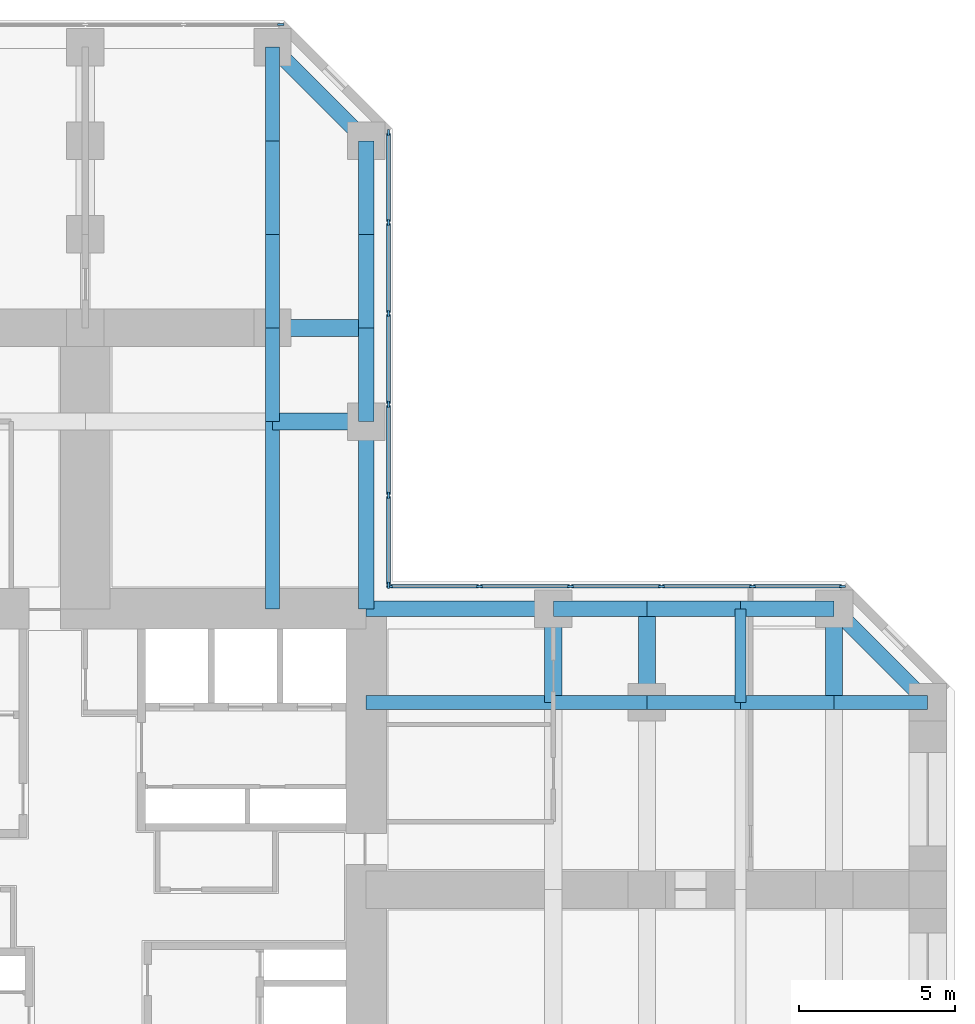
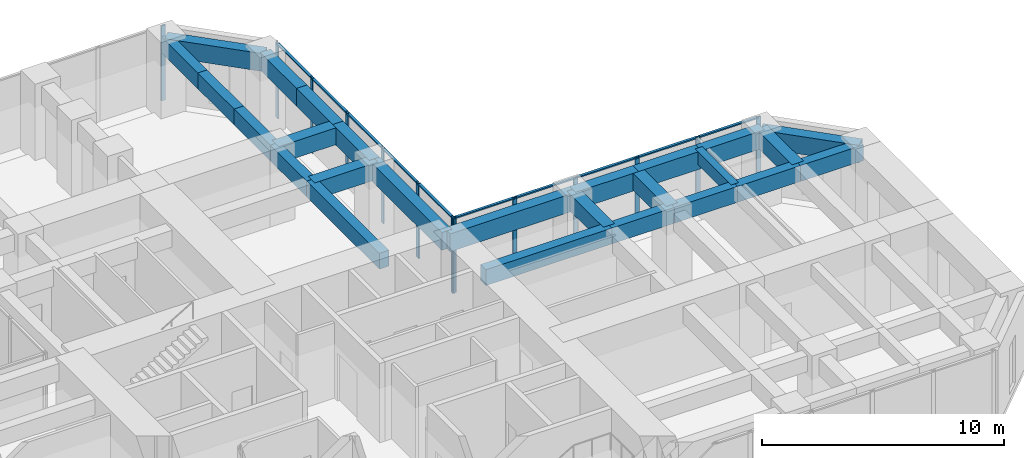
# One storey, part 6 of 12: 26 beams, 23 members, 3 elements without a shape of their own.
"""IFC4 building model written with IfcOpenShell, lengths in metres."""

from ifc_helpers import new_model, si_unit, direction, frame, origin, origin_2d, place, context, subcontext, project, spatial, rectangle, extrude, material, material_profile, profile_set, type_object, element, aggregate, save


model = new_model("IFC4")

# Units and contexts
model_context = context("Model", 3, precision=1e-05, world=origin(), true_north=direction((0.0, 1.0)))
body_context = subcontext(model_context, "Body", "Model", "MODEL_VIEW")
ifc_project = project(units=[si_unit("LENGTHUNIT", "METRE"), si_unit("AREAUNIT", "SQUARE_METRE"), si_unit("VOLUMEUNIT", "CUBIC_METRE"), si_unit("PLANEANGLEUNIT", "RADIAN"), si_unit("MASSUNIT", "GRAM", prefix="KILO")], contexts=[model_context])

# Site, building, storey
site_placement = place(None, origin())
site = spatial("IfcSite", under=ifc_project, at=site_placement, CompositionType="ELEMENT")
building_placement = place(site_placement, origin())
building = spatial("IfcBuilding", under=site, at=building_placement, Name="Torre Cruceta", CompositionType="ELEMENT")
storey_placement = place(building_placement, frame((0.0, 0.0, 63.5)))
storey = spatial("IfcBuildingStorey", under=building, at=storey_placement, Name="L15", CompositionType="ELEMENT", Elevation=63.5)

# Beams
ifc_material_1 = material(Name="Concrete G60 (fck 60 MPa)", Category="concrete")
ifc_material_profile_1 = material_profile(ifc_material_1, rectangle(XDim=0.449951171875, YDim=0.800048828125, at=origin_2d()), Name="RC 450X800")
ifc_profile_set_1 = profile_set([ifc_material_profile_1], Name="Concrete G60 (fck 60 MPa)")
beam_type_1 = type_object("IfcBeamType", Name="COLUMN LINE BEAM RC 450X800", PredefinedType="BEAM", material=ifc_profile_set_1)
beam_1_placement = place(storey_placement, frame((6.0, 9.0, 3.39990234375), z_axis=(0.0, 1.0, 0.0), x_axis=(-1.0, 0.0, 0.0)))
element("IfcBeam", 1, at=beam_1_placement, inside=storey, type_object=beam_type_1, Name="LB1 L15 N col- 1", PredefinedType="BEAM", context=body_context, shape_type="SweptSolid", body=[
    extrude(rectangle(XDim=0.449951171875, YDim=0.800048828125, at=origin_2d()), origin(), (0.0, 0.0, 1.0), 6.0),
])
for number, where, z_axis, x_axis, name in (
    (2, (6.0, 15.0, 3.39990234375), (0.0, 1.0, 0.0), (-1.0, 0.0, 0.0), "LB1 L15 N col- 2"),
    (3, (6.0, 18.0, 3.39990234375), (0.0, 1.0, 0.0), (-1.0, 0.0, 0.0), "LB1 L15 N col- 3"),
    (4, (6.0, 21.0, 3.39990234375), (0.0, 1.0, 0.0), (-1.0, 0.0, 0.0), "LB1 L15 N col- 4"),
    (5, (6.0, 24.0, 3.39990234375), (0.0, 1.0, 0.0), (-1.0, 0.0, 0.0), "LB1 L15 N col- 5"),
):
    element("IfcBeam", number, at=place(storey_placement, frame(where, z_axis=z_axis, x_axis=x_axis)), inside=storey, type_object=beam_type_1, Name=name, PredefinedType="BEAM", context=body_context, shape_type="SweptSolid", body=[
        extrude(rectangle(XDim=0.449951171875, YDim=0.800048828125, at=origin_2d()), origin(), (0.0, 0.0, 1.0), 3.0),
    ])
beam_2_placement = place(storey_placement, frame((9.0, 6.0, 3.39990234375), z_axis=(1.0, 0.0, 0.0), x_axis=(0.0, 1.0, 0.0)))
element("IfcBeam", 6, at=beam_2_placement, inside=storey, type_object=beam_type_1, Name="LB1 L15 E col+ 1", PredefinedType="BEAM", context=body_context, shape_type="SweptSolid", body=[
    extrude(rectangle(XDim=0.449951171875, YDim=0.800048828125, at=origin_2d()), origin(), (0.0, 0.0, 1.0), 6.0),
])
for number, where, z_axis, x_axis, name in (
    (7, (15.0, 6.0, 3.39990234375), (1.0, 0.0, 0.0), (0.0, 1.0, 0.0), "LB1 L15 E col+ 2"),
    (8, (18.0, 6.0, 3.39990234375), (1.0, 0.0, 0.0), (0.0, 1.0, 0.0), "LB1 L15 E col+ 3"),
    (9, (21.0, 6.0, 3.39990234375), (1.0, 0.0, 0.0), (0.0, 1.0, 0.0), "LB1 L15 E col+ 4"),
    (10, (24.0, 6.0, 3.39990234375), (1.0, 0.0, 0.0), (0.0, 1.0, 0.0), "LB1 L15 E col+ 5"),
):
    element("IfcBeam", number, at=place(storey_placement, frame(where, z_axis=z_axis, x_axis=x_axis)), inside=storey, type_object=beam_type_1, Name=name, PredefinedType="BEAM", context=body_context, shape_type="SweptSolid", body=[
        extrude(rectangle(XDim=0.449951171875, YDim=0.800048828125, at=origin_2d()), origin(), (0.0, 0.0, 1.0), 3.0),
    ])
ifc_material_2 = material(Name="Concrete G60 (fck 60 MPa)", Category="concrete")
ifc_material_profile_2 = material_profile(ifc_material_2, rectangle(XDim=0.550048828125, YDim=0.85009765625, at=origin_2d()), Name="RC 550X850")
ifc_profile_set_2 = profile_set([ifc_material_profile_2], Name="Concrete G60 (fck 60 MPa)")
beam_type_2 = type_object("IfcBeamType", Name="CROSS BEAM RC 550X850", PredefinedType="BEAM", material=ifc_profile_set_2)
for number, where, z_axis, x_axis, name in (
    (11, (9.0, 15.0, 3.375), (-1.0, 0.0, 0.0), (0.0, -1.0, 0.0), "GB4 L15 N cross15 1"),
    (12, (9.0, 18.0, 3.375), (-1.0, 0.0, 0.0), (0.0, -1.0, 0.0), "GB4 L15 N cross18 1"),
    (13, (15.0, 6.0, 3.375), (0.0, 1.0, 0.0), (-1.0, 0.0, 0.0), "GB4 L15 E cross15 4"),
    (14, (18.0, 6.0, 3.375), (0.0, 1.0, 0.0), (-1.0, 0.0, 0.0), "GB4 L15 E cross18 4"),
    (15, (24.0, 6.0, 3.375), (0.0, 1.0, 0.0), (-1.0, 0.0, 0.0), "GB4 L15 E cross24 4"),
):
    element("IfcBeam", number, at=place(storey_placement, frame(where, z_axis=z_axis, x_axis=x_axis)), inside=storey, type_object=beam_type_2, Name=name, PredefinedType="BEAM", context=body_context, shape_type="SweptSolid", body=[
        extrude(rectangle(XDim=0.550048828125, YDim=0.85009765625, at=origin_2d()), origin(), (0.0, 0.0, 1.0), 3.0),
    ])

# Curtain wall, members
ifc_material_3 = material(Name="Aluminium unitised curtain wall", Category="aluminium")
curtain_wall_type = type_object("IfcCurtainWallType", Name="CURTAIN WALL CW-A OFFICE LOW RISE", PredefinedType="USERDEFINED", material=ifc_material_3)
curtain_wall_1_placement = place(storey_placement, origin())
curtain_wall_1 = element("IfcCurtainWall", 16, at=curtain_wall_1_placement, inside=storey, type_object=curtain_wall_type, Name="CW-A L15 E side 04", ObjectType="UNITISED", PredefinedType="USERDEFINED")
ifc_material_4 = material(Name="Aluminium mullion", Category="aluminium")
ifc_material_profile_3 = material_profile(ifc_material_4, rectangle(XDim=0.06494140625, YDim=0.199951171875, at=origin_2d()), Name="AL 65X200")
ifc_profile_set_3 = profile_set([ifc_material_profile_3], Name="Aluminium mullion")
member_type_1 = type_object("IfcMemberType", Name="CW-A MULLION 65X200", PredefinedType="MULLION", material=ifc_profile_set_3)
member_1_placement = place(storey_placement, frame((24.265625, 9.719970703125, 0.0), z_axis=(0.0, 0.0, 1.0), x_axis=(0.0, -1.0, 0.0)))
member_1 = element("IfcMember", 17, at=member_1_placement, type_object=member_type_1, Name="CW-A mullion 1", PredefinedType="MULLION", context=body_context, shape_type="SweptSolid", body=[
    extrude(rectangle(XDim=0.06494140625, YDim=0.199951171875, at=origin_2d()), origin(), (0.0, 0.0, 1.0), 3.800048828125),
])
member_2_placement = place(storey_placement, frame((21.382568359375, 9.719970703125, 0.0), z_axis=(0.0, 0.0, 1.0), x_axis=(0.0, -1.0, 0.0)))
member_2 = element("IfcMember", 18, at=member_2_placement, type_object=member_type_1, Name="CW-A mullion 2", PredefinedType="MULLION", context=body_context, shape_type="SweptSolid", body=[
    extrude(rectangle(XDim=0.06494140625, YDim=0.199951171875, at=origin_2d()), origin(), (0.0, 0.0, 1.0), 3.800048828125),
])
member_3_placement = place(storey_placement, frame((18.467041015625, 9.719970703125, 0.0), z_axis=(0.0, 0.0, 1.0), x_axis=(0.0, -1.0, 0.0)))
member_3 = element("IfcMember", 19, at=member_3_placement, type_object=member_type_1, Name="CW-A mullion 3", PredefinedType="MULLION", context=body_context, shape_type="SweptSolid", body=[
    extrude(rectangle(XDim=0.06494140625, YDim=0.199951171875, at=origin_2d()), origin(), (0.0, 0.0, 1.0), 3.800048828125),
])
member_4_placement = place(storey_placement, frame((15.55126953125, 9.719970703125, 0.0), z_axis=(0.0, 0.0, 1.0), x_axis=(0.0, -1.0, 0.0)))
member_4 = element("IfcMember", 20, at=member_4_placement, type_object=member_type_1, Name="CW-A mullion 4", PredefinedType="MULLION", context=body_context, shape_type="SweptSolid", body=[
    extrude(rectangle(XDim=0.06494140625, YDim=0.199951171875, at=origin_2d()), origin(), (0.0, 0.0, 1.0), 3.800048828125),
])
member_5_placement = place(storey_placement, frame((12.6357421875, 9.719970703125, 0.0), z_axis=(0.0, 0.0, 1.0), x_axis=(0.0, -1.0, 0.0)))
member_5 = element("IfcMember", 21, at=member_5_placement, type_object=member_type_1, Name="CW-A mullion 5", PredefinedType="MULLION", context=body_context, shape_type="SweptSolid", body=[
    extrude(rectangle(XDim=0.06494140625, YDim=0.199951171875, at=origin_2d()), origin(), (0.0, 0.0, 1.0), 3.800048828125),
])
member_6_placement = place(storey_placement, frame((9.75244140625, 9.719970703125, 0.0), z_axis=(0.0, 0.0, 1.0), x_axis=(0.0, -1.0, 0.0)))
member_6 = element("IfcMember", 22, at=member_6_placement, type_object=member_type_1, Name="CW-A mullion 6", PredefinedType="MULLION", context=body_context, shape_type="SweptSolid", body=[
    extrude(rectangle(XDim=0.06494140625, YDim=0.199951171875, at=origin_2d()), origin(), (0.0, 0.0, 1.0), 3.800048828125),
])

curtain_wall_2_placement = place(storey_placement, origin())
curtain_wall_2 = element("IfcCurtainWall", 23, at=curtain_wall_2_placement, inside=storey, type_object=curtain_wall_type, Name="CW-A L15 N side 05", ObjectType="UNITISED", PredefinedType="USERDEFINED")
member_7_placement = place(storey_placement, frame((9.719970703125, 9.75244140625, 0.0), z_axis=(0.0, 0.0, 1.0), x_axis=(-1.0, 0.0, 0.0)))
member_7 = element("IfcMember", 24, at=member_7_placement, type_object=member_type_1, Name="CW-A mullion 1", PredefinedType="MULLION", context=body_context, shape_type="SweptSolid", body=[
    extrude(rectangle(XDim=0.06494140625, YDim=0.199951171875, at=origin_2d()), origin(), (0.0, 0.0, 1.0), 3.800048828125),
])
member_8_placement = place(storey_placement, frame((9.719970703125, 12.6357421875, 0.0), z_axis=(0.0, 0.0, 1.0), x_axis=(-1.0, 0.0, 0.0)))
member_8 = element("IfcMember", 25, at=member_8_placement, type_object=member_type_1, Name="CW-A mullion 2", PredefinedType="MULLION", context=body_context, shape_type="SweptSolid", body=[
    extrude(rectangle(XDim=0.06494140625, YDim=0.199951171875, at=origin_2d()), origin(), (0.0, 0.0, 1.0), 3.800048828125),
])
member_9_placement = place(storey_placement, frame((9.719970703125, 15.55126953125, 0.0), z_axis=(0.0, 0.0, 1.0), x_axis=(-1.0, 0.0, 0.0)))
member_9 = element("IfcMember", 26, at=member_9_placement, type_object=member_type_1, Name="CW-A mullion 3", PredefinedType="MULLION", context=body_context, shape_type="SweptSolid", body=[
    extrude(rectangle(XDim=0.06494140625, YDim=0.199951171875, at=origin_2d()), origin(), (0.0, 0.0, 1.0), 3.800048828125),
])
member_10_placement = place(storey_placement, frame((9.719970703125, 18.467041015625, 0.0), z_axis=(0.0, 0.0, 1.0), x_axis=(-1.0, 0.0, 0.0)))
member_10 = element("IfcMember", 27, at=member_10_placement, type_object=member_type_1, Name="CW-A mullion 4", PredefinedType="MULLION", context=body_context, shape_type="SweptSolid", body=[
    extrude(rectangle(XDim=0.06494140625, YDim=0.199951171875, at=origin_2d()), origin(), (0.0, 0.0, 1.0), 3.800048828125),
])
member_11_placement = place(storey_placement, frame((9.719970703125, 21.382568359375, 0.0), z_axis=(0.0, 0.0, 1.0), x_axis=(-1.0, 0.0, 0.0)))
member_11 = element("IfcMember", 28, at=member_11_placement, type_object=member_type_1, Name="CW-A mullion 5", PredefinedType="MULLION", context=body_context, shape_type="SweptSolid", body=[
    extrude(rectangle(XDim=0.06494140625, YDim=0.199951171875, at=origin_2d()), origin(), (0.0, 0.0, 1.0), 3.800048828125),
])
member_12_placement = place(storey_placement, frame((9.719970703125, 24.265625, 0.0), z_axis=(0.0, 0.0, 1.0), x_axis=(-1.0, 0.0, 0.0)))
member_12 = element("IfcMember", 29, at=member_12_placement, type_object=member_type_1, Name="CW-A mullion 6", PredefinedType="MULLION", context=body_context, shape_type="SweptSolid", body=[
    extrude(rectangle(XDim=0.06494140625, YDim=0.199951171875, at=origin_2d()), origin(), (0.0, 0.0, 1.0), 3.800048828125),
])

# Curtain wall, member
curtain_wall_3_placement = place(storey_placement, origin())
curtain_wall_3 = element("IfcCurtainWall", 30, at=curtain_wall_3_placement, inside=storey, type_object=curtain_wall_type, Name="CW-A L15 N tip 07", ObjectType="UNITISED", PredefinedType="USERDEFINED")
member_13_placement = place(storey_placement, frame((6.265625, 27.719970703125, 0.0), z_axis=(0.0, 0.0, 1.0), x_axis=(0.0, -1.0, 0.0)))
member_13 = element("IfcMember", 31, at=member_13_placement, type_object=member_type_1, Name="CW-A mullion 1", PredefinedType="MULLION", context=body_context, shape_type="SweptSolid", body=[
    extrude(rectangle(XDim=0.06494140625, YDim=0.199951171875, at=origin_2d()), origin(), (0.0, 0.0, 1.0), 3.800048828125),
])
aggregate(curtain_wall_3, [member_13])

# Member
ifc_material_5 = material(Name="Aluminium transom", Category="aluminium")
ifc_material_profile_4 = material_profile(ifc_material_5, rectangle(XDim=0.1201171875, YDim=0.06494140625, at=origin_2d()), Name="AL 120X65")
ifc_profile_set_4 = profile_set([ifc_material_profile_4], Name="Aluminium transom")
member_type_2 = type_object("IfcMemberType", Name="CW-A TRANSOM 65X120", PredefinedType="USERDEFINED", material=ifc_profile_set_4)
member_14_placement = place(storey_placement, frame((24.233154296875, 9.719970703125, 3.767578125), z_axis=(-1.0, 0.0, 0.0), x_axis=(0.0, -1.0, 0.0)))
member_14 = element("IfcMember", 32, at=member_14_placement, type_object=member_type_2, Name="CW-A transom 1", ObjectType="TRANSOM", PredefinedType="USERDEFINED", context=body_context, shape_type="SweptSolid", body=[
    extrude(rectangle(XDim=0.1201171875, YDim=0.06494140625, at=origin_2d()), origin(), (0.0, 0.0, 1.0), 2.818115234375),
])

member_15_placement = place(storey_placement, frame((21.35009765625, 9.719970703125, 3.767578125), z_axis=(-1.0, 0.0, 0.0), x_axis=(0.0, -1.0, 0.0)))
member_15 = element("IfcMember", 33, at=member_15_placement, type_object=member_type_2, Name="CW-A transom 2", ObjectType="TRANSOM", PredefinedType="USERDEFINED", context=body_context, shape_type="SweptSolid", body=[
    extrude(rectangle(XDim=0.1201171875, YDim=0.06494140625, at=origin_2d()), origin(), (0.0, 0.0, 1.0), 2.8505859375),
])

member_16_placement = place(storey_placement, frame((18.434326171875, 9.719970703125, 3.767578125), z_axis=(-1.0, 0.0, 0.0), x_axis=(0.0, -1.0, 0.0)))
member_16 = element("IfcMember", 34, at=member_16_placement, type_object=member_type_2, Name="CW-A transom 3", ObjectType="TRANSOM", PredefinedType="USERDEFINED", context=body_context, shape_type="SweptSolid", body=[
    extrude(rectangle(XDim=0.1201171875, YDim=0.06494140625, at=origin_2d()), origin(), (0.0, 0.0, 1.0), 2.8505859375),
])

member_17_placement = place(storey_placement, frame((15.518798828125, 9.719970703125, 3.767578125), z_axis=(-1.0, 0.0, 0.0), x_axis=(0.0, -1.0, 0.0)))
member_17 = element("IfcMember", 35, at=member_17_placement, type_object=member_type_2, Name="CW-A transom 4", ObjectType="TRANSOM", PredefinedType="USERDEFINED", context=body_context, shape_type="SweptSolid", body=[
    extrude(rectangle(XDim=0.1201171875, YDim=0.06494140625, at=origin_2d()), origin(), (0.0, 0.0, 1.0), 2.8505859375),
])

member_18_placement = place(storey_placement, frame((12.60302734375, 9.719970703125, 3.767578125), z_axis=(-1.0, 0.0, 0.0), x_axis=(0.0, -1.0, 0.0)))
member_18 = element("IfcMember", 36, at=member_18_placement, type_object=member_type_2, Name="CW-A transom 5", ObjectType="TRANSOM", PredefinedType="USERDEFINED", context=body_context, shape_type="SweptSolid", body=[
    extrude(rectangle(XDim=0.1201171875, YDim=0.06494140625, at=origin_2d()), origin(), (0.0, 0.0, 1.0), 2.818115234375),
])

aggregate(curtain_wall_1, [member_1, member_2, member_3, member_4, member_5, member_6, member_14, member_15, member_16, member_17, member_18])

member_19_placement = place(storey_placement, frame((9.719970703125, 9.784912109375, 3.767578125), z_axis=(0.0, 1.0, 0.0), x_axis=(-1.0, 0.0, 0.0)))
member_19 = element("IfcMember", 37, at=member_19_placement, type_object=member_type_2, Name="CW-A transom 1", ObjectType="TRANSOM", PredefinedType="USERDEFINED", context=body_context, shape_type="SweptSolid", body=[
    extrude(rectangle(XDim=0.1201171875, YDim=0.06494140625, at=origin_2d()), origin(), (0.0, 0.0, 1.0), 2.818115234375),
])

member_20_placement = place(storey_placement, frame((9.719970703125, 12.668212890625, 3.767578125), z_axis=(0.0, 1.0, 0.0), x_axis=(-1.0, 0.0, 0.0)))
member_20 = element("IfcMember", 38, at=member_20_placement, type_object=member_type_2, Name="CW-A transom 2", ObjectType="TRANSOM", PredefinedType="USERDEFINED", context=body_context, shape_type="SweptSolid", body=[
    extrude(rectangle(XDim=0.1201171875, YDim=0.06494140625, at=origin_2d()), origin(), (0.0, 0.0, 1.0), 2.8505859375),
])

member_21_placement = place(storey_placement, frame((9.719970703125, 15.583740234375, 3.767578125), z_axis=(0.0, 1.0, 0.0), x_axis=(-1.0, 0.0, 0.0)))
member_21 = element("IfcMember", 39, at=member_21_placement, type_object=member_type_2, Name="CW-A transom 3", ObjectType="TRANSOM", PredefinedType="USERDEFINED", context=body_context, shape_type="SweptSolid", body=[
    extrude(rectangle(XDim=0.1201171875, YDim=0.06494140625, at=origin_2d()), origin(), (0.0, 0.0, 1.0), 2.8505859375),
])

member_22_placement = place(storey_placement, frame((9.719970703125, 18.49951171875, 3.767578125), z_axis=(0.0, 1.0, 0.0), x_axis=(-1.0, 0.0, 0.0)))
member_22 = element("IfcMember", 40, at=member_22_placement, type_object=member_type_2, Name="CW-A transom 4", ObjectType="TRANSOM", PredefinedType="USERDEFINED", context=body_context, shape_type="SweptSolid", body=[
    extrude(rectangle(XDim=0.1201171875, YDim=0.06494140625, at=origin_2d()), origin(), (0.0, 0.0, 1.0), 2.8505859375),
])

member_23_placement = place(storey_placement, frame((9.719970703125, 21.4150390625, 3.767578125), z_axis=(0.0, 1.0, 0.0), x_axis=(-1.0, 0.0, 0.0)))
member_23 = element("IfcMember", 41, at=member_23_placement, type_object=member_type_2, Name="CW-A transom 5", ObjectType="TRANSOM", PredefinedType="USERDEFINED", context=body_context, shape_type="SweptSolid", body=[
    extrude(rectangle(XDim=0.1201171875, YDim=0.06494140625, at=origin_2d()), origin(), (0.0, 0.0, 1.0), 2.818115234375),
])

aggregate(curtain_wall_2, [member_7, member_8, member_9, member_10, member_11, member_12, member_19, member_20, member_21, member_22, member_23])

# Beams
ifc_material_6 = material(Name="Concrete G60 (fck 60 MPa)", Category="concrete")
ifc_material_profile_5 = material_profile(ifc_material_6, rectangle(XDim=0.35009765625, YDim=0.64990234375, at=origin_2d()), Name="RC 350X650")
ifc_profile_set_5 = profile_set([ifc_material_profile_5], Name="Concrete G60 (fck 60 MPa)")
beam_type_3 = type_object("IfcBeamType", Name="SECONDARY BEAM RC 350X650", PredefinedType="JOIST", material=ifc_profile_set_5)
beam_3_placement = place(storey_placement, frame((21.0, 6.0, 3.47509765625), z_axis=(0.0, 1.0, 0.0), x_axis=(-1.0, 0.0, 0.0)))
element("IfcBeam", 42, at=beam_3_placement, inside=storey, type_object=beam_type_3, Name="JB3 L15 E sec21 4", PredefinedType="JOIST", context=body_context, shape_type="SweptSolid", body=[
    extrude(rectangle(XDim=0.35009765625, YDim=0.64990234375, at=origin_2d()), origin(), (0.0, 0.0, 1.0), 3.0),
])
ifc_material_7 = material(Name="Concrete G60 (fck 60 MPa)", Category="concrete")
ifc_material_profile_6 = material_profile(ifc_material_7, rectangle(XDim=0.5, YDim=0.89990234375, at=origin_2d()), Name="RC 500X900")
ifc_profile_set_6 = profile_set([ifc_material_profile_6], Name="Concrete G60 (fck 60 MPa)")
beam_type_4 = type_object("IfcBeamType", Name="SPANDREL BEAM RC 500X900", PredefinedType="SPANDREL", material=ifc_profile_set_6)
beam_4_placement = place(storey_placement, frame((9.0, 9.0, 3.35009765625), z_axis=(0.0, 1.0, 0.0), x_axis=(-1.0, 0.0, 0.0)))
element("IfcBeam", 43, at=beam_4_placement, inside=storey, type_object=beam_type_4, Name="SB4 L15 N side- 1", PredefinedType="SPANDREL", context=body_context, shape_type="SweptSolid", body=[
    extrude(rectangle(XDim=0.5, YDim=0.89990234375, at=origin_2d()), origin(), (0.0, 0.0, 1.0), 6.0),
])
for number, where, z_axis, x_axis, name in (
    (44, (9.0, 15.0, 3.35009765625), (0.0, 1.0, 0.0), (-1.0, 0.0, 0.0), "SB4 L15 N side- 2"),
    (45, (9.0, 18.0, 3.35009765625), (0.0, 1.0, 0.0), (-1.0, 0.0, 0.0), "SB4 L15 N side- 3"),
    (46, (9.0, 21.0, 3.35009765625), (0.0, 1.0, 0.0), (-1.0, 0.0, 0.0), "SB4 L15 N side- 4"),
):
    element("IfcBeam", number, at=place(storey_placement, frame(where, z_axis=z_axis, x_axis=x_axis)), inside=storey, type_object=beam_type_4, Name=name, PredefinedType="SPANDREL", context=body_context, shape_type="SweptSolid", body=[
        extrude(rectangle(XDim=0.5, YDim=0.89990234375, at=origin_2d()), origin(), (0.0, 0.0, 1.0), 3.0),
    ])
beam_5_placement = place(storey_placement, frame((9.0, 24.0, 3.35009765625), z_axis=(-0.707106781187, 0.707106781187, 0.0), x_axis=(-0.707106781187, -0.707106781187, 0.0)))
element("IfcBeam", 47, at=beam_5_placement, inside=storey, type_object=beam_type_4, Name="SB4 L15 N side- 5", PredefinedType="SPANDREL", context=body_context, shape_type="SweptSolid", body=[
    extrude(rectangle(XDim=0.5, YDim=0.89990234375, at=origin_2d()), origin(), (0.0, 0.0, 1.0), 4.24267578125),
])
beam_6_placement = place(storey_placement, frame((9.0, 9.0, 3.35009765625), z_axis=(1.0, 0.0, 0.0), x_axis=(0.0, 1.0, 0.0)))
element("IfcBeam", 48, at=beam_6_placement, inside=storey, type_object=beam_type_4, Name="SB4 L15 E side+ 1", PredefinedType="SPANDREL", context=body_context, shape_type="SweptSolid", body=[
    extrude(rectangle(XDim=0.5, YDim=0.89990234375, at=origin_2d()), origin(), (0.0, 0.0, 1.0), 6.0),
])
for number, where, z_axis, x_axis, name in (
    (49, (15.0, 9.0, 3.35009765625), (1.0, 0.0, 0.0), (0.0, 1.0, 0.0), "SB4 L15 E side+ 2"),
    (50, (18.0, 9.0, 3.35009765625), (1.0, 0.0, 0.0), (0.0, 1.0, 0.0), "SB4 L15 E side+ 3"),
    (51, (21.0, 9.0, 3.35009765625), (1.0, 0.0, 0.0), (0.0, 1.0, 0.0), "SB4 L15 E side+ 4"),
):
    element("IfcBeam", number, at=place(storey_placement, frame(where, z_axis=z_axis, x_axis=x_axis)), inside=storey, type_object=beam_type_4, Name=name, PredefinedType="SPANDREL", context=body_context, shape_type="SweptSolid", body=[
        extrude(rectangle(XDim=0.5, YDim=0.89990234375, at=origin_2d()), origin(), (0.0, 0.0, 1.0), 3.0),
    ])
beam_7_placement = place(storey_placement, frame((24.0, 9.0, 3.35009765625), z_axis=(0.707106781187, -0.707106781187, 0.0), x_axis=(0.707106781187, 0.707106781187, 0.0)))
element("IfcBeam", 52, at=beam_7_placement, inside=storey, type_object=beam_type_4, Name="SB4 L15 E side+ 5", PredefinedType="SPANDREL", context=body_context, shape_type="SweptSolid", body=[
    extrude(rectangle(XDim=0.5, YDim=0.89990234375, at=origin_2d()), origin(), (0.0, 0.0, 1.0), 4.24267578125),
])

save(model, "model.ifc")
